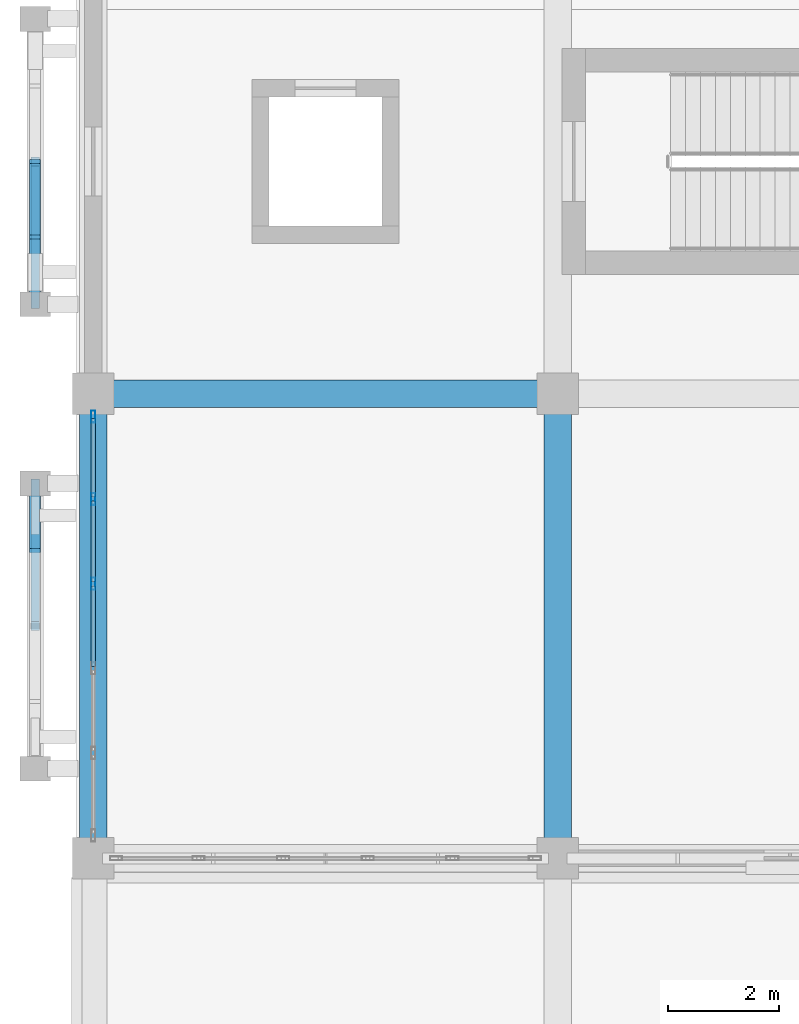
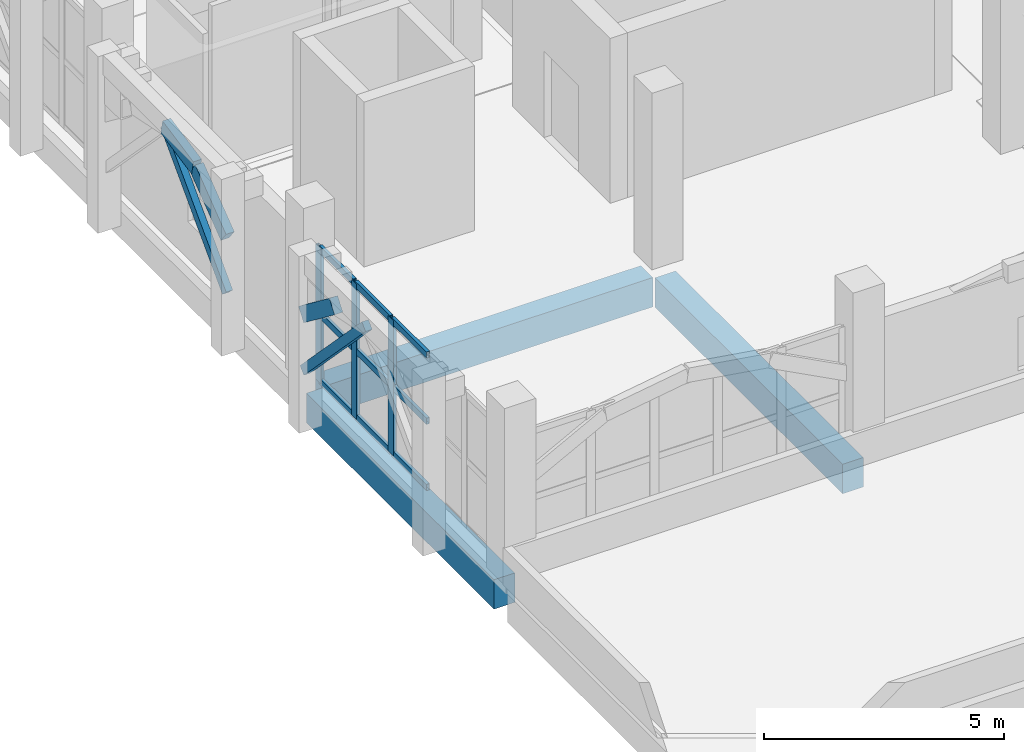
# One storey, part 40 of 114: 17 members, 3 beams, 1 element without a shape of its own.
"""IFC4 building model written with IfcOpenShell, lengths in metres."""

import ifcopenshell
import ifcopenshell.guid

model = None  # the IFC model being written
_history = None  # IfcOwnerHistory: only IFC2X3 demands one
_inside = {}  # id of a spatial element -> (the spatial element, [elements in it])
_under = {}  # id of a project, library or spatial element -> (it, [spatial elements below it])
_declared = {}  # id of a project -> (the project, [libraries it declares])
_typed = {}  # id of a type object -> (the type object, [elements of that type])
_made_of = {}  # id of a material, layer set ... -> (it, [elements and type objects made of it])


def new_model(schema):
    """Start an empty IFC model of exactly this schema.

    Asked for "IFC4X3", IfcOpenShell would pick the latest addendum, in which some entities
    have other attributes; the version numbers below select the first issue.
    IFC2X3 requires an IfcOwnerHistory on every rooted entity: one is made here for all.
    """
    global model, _history
    if schema == "IFC4X3":
        model = ifcopenshell.file(schema_version=(4, 3, 0, 0))
    else:
        model = ifcopenshell.file(schema=schema)
    _inside.clear()
    _under.clear()
    _declared.clear()
    _typed.clear()
    _made_of.clear()
    _history = None
    if model.schema == "IFC2X3":
        org = make("IfcOrganization", Name="unknown")
        user = make(
            "IfcPersonAndOrganization",
            ThePerson=make("IfcPerson", FamilyName="unknown"),
            TheOrganization=org,
        )
        app = make(
            "IfcApplication",
            ApplicationDeveloper=org,
            Version="unknown",
            ApplicationFullName="unknown",
            ApplicationIdentifier="unknown",
        )
        _history = make(
            "IfcOwnerHistory",
            OwningUser=user,
            OwningApplication=app,
            ChangeAction="ADDED",
            CreationDate=0,
        )
    return model


def make(cls, **values):
    """One entity of the class cls with the attributes given. An attribute that is None is left unset."""
    return model.create_entity(
        cls, **{name: value for name, value in values.items() if value is not None}
    )


def rooted(cls, **values):
    """An entity with a GlobalId (a new one), such as an element, a storey or a relation."""
    return make(cls, GlobalId=ifcopenshell.guid.new(), OwnerHistory=_history, **values)


def si_unit(unit_type, name, prefix=None):
    """IfcSIUnit, for example si_unit("LENGTHUNIT", "METRE", prefix="MILLI")."""
    return make("IfcSIUnit", UnitType=unit_type, Prefix=prefix, Name=name)


def assignment(units):
    """IfcUnitAssignment: the units of a project."""
    return None if units is None else make("IfcUnitAssignment", Units=units)


def point(xyz):
    """IfcCartesianPoint."""
    return None if xyz is None else make("IfcCartesianPoint", Coordinates=xyz)


def direction(xyz):
    """IfcDirection."""
    return None if xyz is None else make("IfcDirection", DirectionRatios=xyz)


def frame(location, z_axis=None, x_axis=None):
    """IfcAxis2Placement3D, a coordinate frame: its origin and axes. An axis left out is left unset."""
    return make(
        "IfcAxis2Placement3D",
        Location=point(location),
        Axis=direction(z_axis),
        RefDirection=direction(x_axis),
    )


def frame_2d(location, x_axis=None):
    """IfcAxis2Placement2D, a coordinate frame in the plane: its origin and x axis."""
    return make(
        "IfcAxis2Placement2D", Location=point(location), RefDirection=direction(x_axis)
    )


def origin():
    """The frame at (0, 0, 0) with its axes left unset."""
    return frame((0.0, 0.0, 0.0))


def origin_2d():
    """The frame at (0, 0) in the plane with its x axis left unset."""
    return frame_2d((0.0, 0.0))


def place(relative_to, where):
    """IfcLocalPlacement: puts the frame where relative to a parent placement (None: the world)."""
    return make(
        "IfcLocalPlacement", PlacementRelTo=relative_to, RelativePlacement=where
    )


def context(
    kind, dimensions, precision=None, world=None, true_north=None, identifier=None
):
    """IfcGeometricRepresentationContext, for example the 3D "Model" context."""
    return make(
        "IfcGeometricRepresentationContext",
        ContextIdentifier=identifier,
        ContextType=kind,
        CoordinateSpaceDimension=dimensions,
        Precision=precision,
        WorldCoordinateSystem=world,
        TrueNorth=true_north,
    )


def subcontext(parent, identifier, kind, view, scale=None):
    """IfcGeometricRepresentationSubContext, for example "Body" below "Model"."""
    return make(
        "IfcGeometricRepresentationSubContext",
        ContextIdentifier=identifier,
        ContextType=kind,
        ParentContext=parent,
        TargetScale=scale,
        TargetView=view,
    )


def project(units=None, contexts=None):
    """IfcProject with its units and contexts."""
    return rooted(
        "IfcProject",
        Name="project",
        RepresentationContexts=contexts,
        UnitsInContext=assignment(units),
    )


def spatial(cls, under=None, at=None, **own):
    """A site, building, storey or space (cls), placed at a placement, below another one or the project."""
    s = rooted(cls, ObjectPlacement=at, **own)
    if under is not None:
        _under.setdefault(under.id(), (under, []))[1].append(s)
    return s


def profile(cls, at=None, kind="AREA", **sizes):
    """A parametric profile (cls). Its sizes go by their IFC names, for example OverallWidth=200.0."""
    return make(cls, ProfileType=kind, Position=at, **sizes)


def rectangle(**sizes):
    """IfcRectangleProfileDef."""
    return profile("IfcRectangleProfileDef", **sizes)


def hollow_rectangle(**sizes):
    """IfcRectangleHollowProfileDef."""
    return profile("IfcRectangleHollowProfileDef", **sizes)


def extrude(swept, where, along, depth):
    """IfcExtrudedAreaSolid: the profile swept, set in the frame where, extruded along a direction by depth."""
    return make(
        "IfcExtrudedAreaSolid",
        SweptArea=swept,
        Position=where,
        ExtrudedDirection=direction(along),
        Depth=depth,
    )


def shape(context_of_items, identifier, shape_type, items):
    """IfcShapeRepresentation: the items that make up one representation, for example the "Body"."""
    return make(
        "IfcShapeRepresentation",
        ContextOfItems=context_of_items,
        RepresentationIdentifier=identifier,
        RepresentationType=shape_type,
        Items=items,
    )


def material(Name=None, Category=None):
    """IfcMaterial."""
    return make("IfcMaterial", Name=Name, Category=Category)


def layer(
    of_material, thickness, ventilated=None, Name=None, Category=None, Priority=None
):
    """IfcMaterialLayer: one layer of a wall or slab, of a material (None: an air gap)."""
    return make(
        "IfcMaterialLayer",
        Material=of_material,
        LayerThickness=thickness,
        IsVentilated=ventilated,
        Name=Name,
        Category=Category,
        Priority=Priority,
    )


def layer_set(layers, Name=None):
    """IfcMaterialLayerSet."""
    return make("IfcMaterialLayerSet", MaterialLayers=layers, LayerSetName=Name)


def material_profile(
    of_material, cross_section, Name=None, Category=None, Priority=None
):
    """IfcMaterialProfile: a cross section and its material."""
    return make(
        "IfcMaterialProfile",
        Name=Name,
        Material=of_material,
        Profile=cross_section,
        Priority=Priority,
        Category=Category,
    )


def profile_set(profiles, Name=None, composite=None):
    """IfcMaterialProfileSet."""
    return make(
        "IfcMaterialProfileSet",
        Name=Name,
        MaterialProfiles=profiles,
        CompositeProfile=composite,
    )


def made_of(thing, what):
    """Note that an element or type object is made of a material, layer set ...; save() writes the relation."""
    if what is not None:
        _made_of.setdefault(what.id(), (what, []))[1].append(thing)
    return thing


def type_object(cls, material=None, **own):
    """A type object (cls), such as IfcWallType, which elements share."""
    return made_of(rooted(cls, **own), material)


def element(
    cls,
    number,
    at=None,
    inside=None,
    cuts=None,
    type_object=None,
    material=None,
    context=None,
    identifier="Body",
    shape_type=None,
    held_by="IfcProductDefinitionShape",
    body=None,
    shapes=None,
    **own,
):
    """One element of the class cls, such as IfcWall. Its Tag is "e" and its number.

    at: its placement. inside: the storey or other place that contains it. cuts: it is an
    opening in that element (IfcRelVoidsElement). A single representation is given by context,
    identifier, shape_type and body (its items); several are given by shapes. held_by: the class
    of the entity that holds the representations. save() writes the other relations.
    """
    e = rooted(cls, Tag="e%d" % number, ObjectPlacement=at, **own)
    if body is not None:
        shapes = [shape(context, identifier, shape_type, body)]
    if shapes is not None:
        e.Representation = make(held_by, Representations=shapes)
    if inside is not None:
        _inside.setdefault(inside.id(), (inside, []))[1].append(e)
    if cuts is not None:
        rooted(
            "IfcRelVoidsElement", RelatingBuildingElement=cuts, RelatedOpeningElement=e
        )
    if type_object is not None:
        _typed.setdefault(type_object.id(), (type_object, []))[1].append(e)
    return made_of(e, material)


def aggregate(whole, parts):
    """IfcRelAggregates: a whole, such as a stair, and the parts it consists of."""
    return rooted("IfcRelAggregates", RelatingObject=whole, RelatedObjects=parts)


def save(model, path):
    """Write the relations noted so far, then the file.

    IfcRelAggregates (storeys below a building ...), IfcRelContainedInSpatialStructure (elements
    in a storey), IfcRelDefinesByType, IfcRelAssociatesMaterial and IfcRelDeclares: one each for
    every whole, place, type object, material and project.
    """
    for whole, parts in _under.values():
        aggregate(whole, parts)
    for where, things in _inside.values():
        rooted(
            "IfcRelContainedInSpatialStructure",
            RelatedElements=things,
            RelatingStructure=where,
        )
    for kind, things in _typed.values():
        rooted("IfcRelDefinesByType", RelatedObjects=things, RelatingType=kind)
    for what, things in _made_of.values():
        rooted("IfcRelAssociatesMaterial", RelatedObjects=things, RelatingMaterial=what)
    for by, libraries in _declared.values():
        rooted("IfcRelDeclares", RelatingContext=by, RelatedDefinitions=libraries)
    model.write(path)


model = new_model("IFC4")

# Units and contexts
model_context = context("Model", 3, precision=1e-05, world=origin(), true_north=direction((0.0, 1.0)))
body_context = subcontext(model_context, "Body", "Model", "MODEL_VIEW")
ifc_project = project(units=[si_unit("LENGTHUNIT", "METRE"), si_unit("AREAUNIT", "SQUARE_METRE"), si_unit("VOLUMEUNIT", "CUBIC_METRE"), si_unit("PLANEANGLEUNIT", "RADIAN"), si_unit("MASSUNIT", "GRAM", prefix="KILO")], contexts=[model_context])

# Site, building, storey
site_placement = place(None, origin())
site = spatial("IfcSite", under=ifc_project, at=site_placement, CompositionType="ELEMENT")
building_placement = place(site_placement, origin())
building = spatial("IfcBuilding", under=site, at=building_placement, Name="Xazarin Passage Department Store", CompositionType="ELEMENT")
storey_placement = place(building_placement, frame((0.0, 0.0, 14.39990234375)))
storey = spatial("IfcBuildingStorey", under=building, at=storey_placement, Name="L03", CompositionType="ELEMENT", Elevation=14.39990234375)

# Curtain wall, members
ifc_material_1 = material(Name="Bronze anodised aluminium", Category="aluminium")
ifc_layer = layer(ifc_material_1, 0.199951171875)
ifc_layer_set = layer_set([ifc_layer], Name="Bronze anodised aluminium")
curtain_wall_type = type_object("IfcCurtainWallType", Name="ARC-CW-VIT2", PredefinedType="NOTDEFINED", material=ifc_layer_set)
curtain_wall_placement = place(storey_placement, origin())
curtain_wall = element("IfcCurtainWall", 1, at=curtain_wall_placement, inside=storey, type_object=curtain_wall_type, Name="L03 V1 Curtain Wall 063", PredefinedType="NOTDEFINED")
ifc_material_profile_1 = material_profile(ifc_material_1, hollow_rectangle(XDim=0.074951171875, YDim=0.219970703125, WallThickness=0.0048828125, at=origin_2d()), Name="ALU 75x220")
ifc_profile_set_1 = profile_set([ifc_material_profile_1], Name="Bronze anodised aluminium")
member_type_1 = type_object("IfcMemberType", Name="ARC-CWM-75x220", PredefinedType="MULLION", material=ifc_profile_set_1)
member_1_placement = place(storey_placement, frame((0.0, 72.965087890625, 0.0), z_axis=(0.0, 0.0, 1.0), x_axis=(-1.0, 0.0, 0.0)))
member_1 = element("IfcMember", 2, at=member_1_placement, type_object=member_type_1, Name="CW2 mullion 4", PredefinedType="MULLION", context=body_context, shape_type="SweptSolid", body=[
    extrude(hollow_rectangle(XDim=0.074951171875, YDim=0.219970703125, WallThickness=0.0048828125, at=origin_2d()), origin(), (0.0, 0.0, 1.0), 3.4501953125),
])
member_2_placement = place(storey_placement, frame((0.0, 74.4951171875, 0.0), z_axis=(0.0, 0.0, 1.0), x_axis=(-1.0, 0.0, 0.0)))
member_2 = element("IfcMember", 3, at=member_2_placement, type_object=member_type_1, Name="CW2 mullion 5", PredefinedType="MULLION", context=body_context, shape_type="SweptSolid", body=[
    extrude(hollow_rectangle(XDim=0.074951171875, YDim=0.219970703125, WallThickness=0.0048828125, at=origin_2d()), origin(), (0.0, 0.0, 1.0), 3.4501953125),
])
member_3_placement = place(storey_placement, frame((0.0, 75.987548828125, 0.0), z_axis=(0.0, 0.0, 1.0), x_axis=(-1.0, 0.0, 0.0)))
member_3 = element("IfcMember", 4, at=member_3_placement, type_object=member_type_1, Name="CW2 mullion 6", PredefinedType="MULLION", context=body_context, shape_type="SweptSolid", body=[
    extrude(hollow_rectangle(XDim=0.074951171875, YDim=0.219970703125, WallThickness=0.0048828125, at=origin_2d()), origin(), (0.0, 0.0, 1.0), 3.4501953125),
])
ifc_material_profile_2 = material_profile(ifc_material_1, hollow_rectangle(XDim=0.074951171875, YDim=0.159912109375, WallThickness=0.00439453125, at=origin_2d()), Name="ALU 75x160")
ifc_profile_set_2 = profile_set([ifc_material_profile_2], Name="Bronze anodised aluminium")
member_type_2 = type_object("IfcMemberType", Name="ARC-CWT-75x160", PredefinedType="USERDEFINED", material=ifc_profile_set_2)
member_4_placement = place(storey_placement, frame((0.0, 71.472412109375, 0.03759765625), z_axis=(0.0, 1.0, 0.0), x_axis=(-1.0, 0.0, 0.0)))
member_4 = element("IfcMember", 5, at=member_4_placement, type_object=member_type_2, Name="CW2 transom 3.1", ObjectType="TRANSOM", PredefinedType="USERDEFINED", context=body_context, shape_type="SweptSolid", body=[
    extrude(hollow_rectangle(XDim=0.074951171875, YDim=0.159912109375, WallThickness=0.00439453125, at=origin_2d()), origin(), (0.0, 0.0, 1.0), 1.455078125),
])
member_5_placement = place(storey_placement, frame((0.0, 71.472412109375, 1.72509765625), z_axis=(0.0, 1.0, 0.0), x_axis=(-1.0, 0.0, 0.0)))
member_5 = element("IfcMember", 6, at=member_5_placement, type_object=member_type_2, Name="CW2 transom 3.2", ObjectType="TRANSOM", PredefinedType="USERDEFINED", context=body_context, shape_type="SweptSolid", body=[
    extrude(hollow_rectangle(XDim=0.074951171875, YDim=0.159912109375, WallThickness=0.00439453125, at=origin_2d()), origin(), (0.0, 0.0, 1.0), 1.455078125),
])
member_6_placement = place(storey_placement, frame((0.0, 71.472412109375, 3.41259765625), z_axis=(0.0, 1.0, 0.0), x_axis=(-1.0, 0.0, 0.0)))
member_6 = element("IfcMember", 7, at=member_6_placement, type_object=member_type_2, Name="CW2 transom 3.3", ObjectType="TRANSOM", PredefinedType="USERDEFINED", context=body_context, shape_type="SweptSolid", body=[
    extrude(hollow_rectangle(XDim=0.074951171875, YDim=0.159912109375, WallThickness=0.00439453125, at=origin_2d()), origin(), (0.0, 0.0, 1.0), 1.455078125),
])
member_7_placement = place(storey_placement, frame((0.0, 73.00244140625, 0.03759765625), z_axis=(0.0, 1.0, 0.0), x_axis=(-1.0, 0.0, 0.0)))
member_7 = element("IfcMember", 8, at=member_7_placement, type_object=member_type_2, Name="CW2 transom 4.1", ObjectType="TRANSOM", PredefinedType="USERDEFINED", context=body_context, shape_type="SweptSolid", body=[
    extrude(hollow_rectangle(XDim=0.074951171875, YDim=0.159912109375, WallThickness=0.00439453125, at=origin_2d()), origin(), (0.0, 0.0, 1.0), 1.455078125),
])
member_8_placement = place(storey_placement, frame((0.0, 73.00244140625, 1.72509765625), z_axis=(0.0, 1.0, 0.0), x_axis=(-1.0, 0.0, 0.0)))
member_8 = element("IfcMember", 9, at=member_8_placement, type_object=member_type_2, Name="CW2 transom 4.2", ObjectType="TRANSOM", PredefinedType="USERDEFINED", context=body_context, shape_type="SweptSolid", body=[
    extrude(hollow_rectangle(XDim=0.074951171875, YDim=0.159912109375, WallThickness=0.00439453125, at=origin_2d()), origin(), (0.0, 0.0, 1.0), 1.455078125),
])
member_9_placement = place(storey_placement, frame((0.0, 73.00244140625, 3.41259765625), z_axis=(0.0, 1.0, 0.0), x_axis=(-1.0, 0.0, 0.0)))
member_9 = element("IfcMember", 10, at=member_9_placement, type_object=member_type_2, Name="CW2 transom 4.3", ObjectType="TRANSOM", PredefinedType="USERDEFINED", context=body_context, shape_type="SweptSolid", body=[
    extrude(hollow_rectangle(XDim=0.074951171875, YDim=0.159912109375, WallThickness=0.00439453125, at=origin_2d()), origin(), (0.0, 0.0, 1.0), 1.455078125),
])
member_10_placement = place(storey_placement, frame((0.0, 74.532470703125, 0.03759765625), z_axis=(0.0, 1.0, 0.0), x_axis=(-1.0, 0.0, 0.0)))
member_10 = element("IfcMember", 11, at=member_10_placement, type_object=member_type_2, Name="CW2 transom 5.1", ObjectType="TRANSOM", PredefinedType="USERDEFINED", context=body_context, shape_type="SweptSolid", body=[
    extrude(hollow_rectangle(XDim=0.074951171875, YDim=0.159912109375, WallThickness=0.00439453125, at=origin_2d()), origin(), (0.0, 0.0, 1.0), 1.41748046875),
])
member_11_placement = place(storey_placement, frame((0.0, 74.532470703125, 1.72509765625), z_axis=(0.0, 1.0, 0.0), x_axis=(-1.0, 0.0, 0.0)))
member_11 = element("IfcMember", 12, at=member_11_placement, type_object=member_type_2, Name="CW2 transom 5.2", ObjectType="TRANSOM", PredefinedType="USERDEFINED", context=body_context, shape_type="SweptSolid", body=[
    extrude(hollow_rectangle(XDim=0.074951171875, YDim=0.159912109375, WallThickness=0.00439453125, at=origin_2d()), origin(), (0.0, 0.0, 1.0), 1.41748046875),
])
member_12_placement = place(storey_placement, frame((0.0, 74.532470703125, 3.41259765625), z_axis=(0.0, 1.0, 0.0), x_axis=(-1.0, 0.0, 0.0)))
member_12 = element("IfcMember", 13, at=member_12_placement, type_object=member_type_2, Name="CW2 transom 5.3", ObjectType="TRANSOM", PredefinedType="USERDEFINED", context=body_context, shape_type="SweptSolid", body=[
    extrude(hollow_rectangle(XDim=0.074951171875, YDim=0.159912109375, WallThickness=0.00439453125, at=origin_2d()), origin(), (0.0, 0.0, 1.0), 1.41748046875),
])
aggregate(curtain_wall, [member_1, member_2, member_3, member_4, member_5, member_6, member_7, member_8, member_9, member_10, member_11, member_12])

# Beams
ifc_material_2 = material(Name="Concrete C35/45", Category="concrete")
ifc_material_profile_3 = material_profile(ifc_material_2, rectangle(XDim=0.5, YDim=0.75, at=origin_2d()), Name="RC 500x750")
ifc_profile_set_3 = profile_set([ifc_material_profile_3], Name="Concrete C35/45")
beam_type = type_object("IfcBeamType", Name="STR-BM-SP500x750", PredefinedType="SPANDREL", material=ifc_profile_set_3)
for number, where, z_axis, x_axis, name in (
    (14, (0.280029296875, 76.39990234375, -0.6748046875), (1.0, 0.0, 0.0), (0.0, 1.0, 0.0), "L03 Grid Beam L/1-2"),
    (15, (0.0, 68.280029296875, -0.6748046875), (0.0, 1.0, 0.0), (-1.0, 0.0, 0.0), "L03 Grid Beam 1/K-L"),
    (16, (8.39990234375, 68.280029296875, -0.6748046875), (0.0, 1.0, 0.0), (-1.0, 0.0, 0.0), "L03 Grid Beam 2/K-L"),
):
    element("IfcBeam", number, at=place(storey_placement, frame(where, z_axis=z_axis, x_axis=x_axis)), inside=storey, type_object=beam_type, Name=name, PredefinedType="SPANDREL", context=body_context, shape_type="SweptSolid", body=[
        extrude(rectangle(XDim=0.5, YDim=0.75, at=origin_2d()), origin(), (0.0, 0.0, 1.0), 7.840087890625),
    ])

# Members
ifc_material_3 = material(Name="Concrete C40/50", Category="concrete")
ifc_material_profile_4 = material_profile(ifc_material_3, rectangle(XDim=0.199951171875, YDim=0.360107421875, at=origin_2d()), Name="RC 200x360")
ifc_profile_set_4 = profile_set([ifc_material_profile_4], Name="Concrete C40/50")
member_type_3 = type_object("IfcMemberType", Name="STR-MEM-ARC360", PredefinedType="CHORD", material=ifc_profile_set_4)
for number, where, z_axis, x_axis, name in (
    (17, (-1.050048828125, 73.489990234375, 3.81640625), (0.0, 0.79440903847, -0.607383140692), (-1.0, 0.0, 0.0), "L03 V1 Pierced Lattice Curved Arch 010.4"),
    (18, (-1.050048828125, 78.02001953125, 2.830078125), (0.0, 0.79440903847, 0.607383140692), (-1.0, 0.0, 0.0), "L03 V1 Pierced Lattice Curved Arch 011.1"),
):
    element("IfcMember", number, at=place(storey_placement, frame(where, z_axis=z_axis, x_axis=x_axis)), inside=storey, type_object=member_type_3, Name=name, PredefinedType="CHORD", context=body_context, shape_type="SweptSolid", body=[
        extrude(rectangle(XDim=0.199951171875, YDim=0.360107421875, at=origin_2d()), origin(), (0.0, 0.0, 1.0), 1.623779296875),
    ])
member_13_placement = place(storey_placement, frame((-1.050048828125, 79.31005859375, 3.81640625), z_axis=(0.0, 0.979744705887, 0.200250621188), x_axis=(-1.0, 0.0, 0.0)))
element("IfcMember", 19, at=member_13_placement, inside=storey, type_object=member_type_3, Name="L03 V1 Pierced Lattice Curved Arch 011.2", PredefinedType="CHORD", context=body_context, shape_type="SweptSolid", body=[
    extrude(rectangle(XDim=0.199951171875, YDim=0.360107421875, at=origin_2d()), origin(), (0.0, 0.0, 1.0), 1.316650390625),
])
ifc_material_profile_5 = material_profile(ifc_material_3, rectangle(XDim=0.159912109375, YDim=0.219970703125, at=origin_2d()), Name="RC 160x220")
ifc_profile_set_5 = profile_set([ifc_material_profile_5], Name="Concrete C40/50")
member_type_4 = type_object("IfcMemberType", Name="STR-MEM-TRC220", PredefinedType="CHORD", material=ifc_profile_set_5)
for number, where, z_axis, x_axis, name in (
    (20, (-1.050048828125, 72.199951171875, 4.080078125), (0.0, 0.693558444435, -0.720400363793), (-1.0, 0.0, 0.0), "L03 V1 Upper Lattice Tracery Arch 010R"),
    (21, (-1.050048828125, 80.60009765625, 4.080078125), (0.0, -0.693558444435, -0.720400363793), (1.0, 0.0, 0.0), "L03 V1 Upper Lattice Tracery Arch 011L"),
):
    element("IfcMember", number, at=place(storey_placement, frame(where, z_axis=z_axis, x_axis=x_axis)), inside=storey, type_object=member_type_4, Name=name, PredefinedType="CHORD", context=body_context, shape_type="SweptSolid", body=[
        extrude(rectangle(XDim=0.159912109375, YDim=0.219970703125, at=origin_2d()), origin(), (0.0, 0.0, 1.0), 3.719970703125),
    ])

save(model, "model.ifc")
